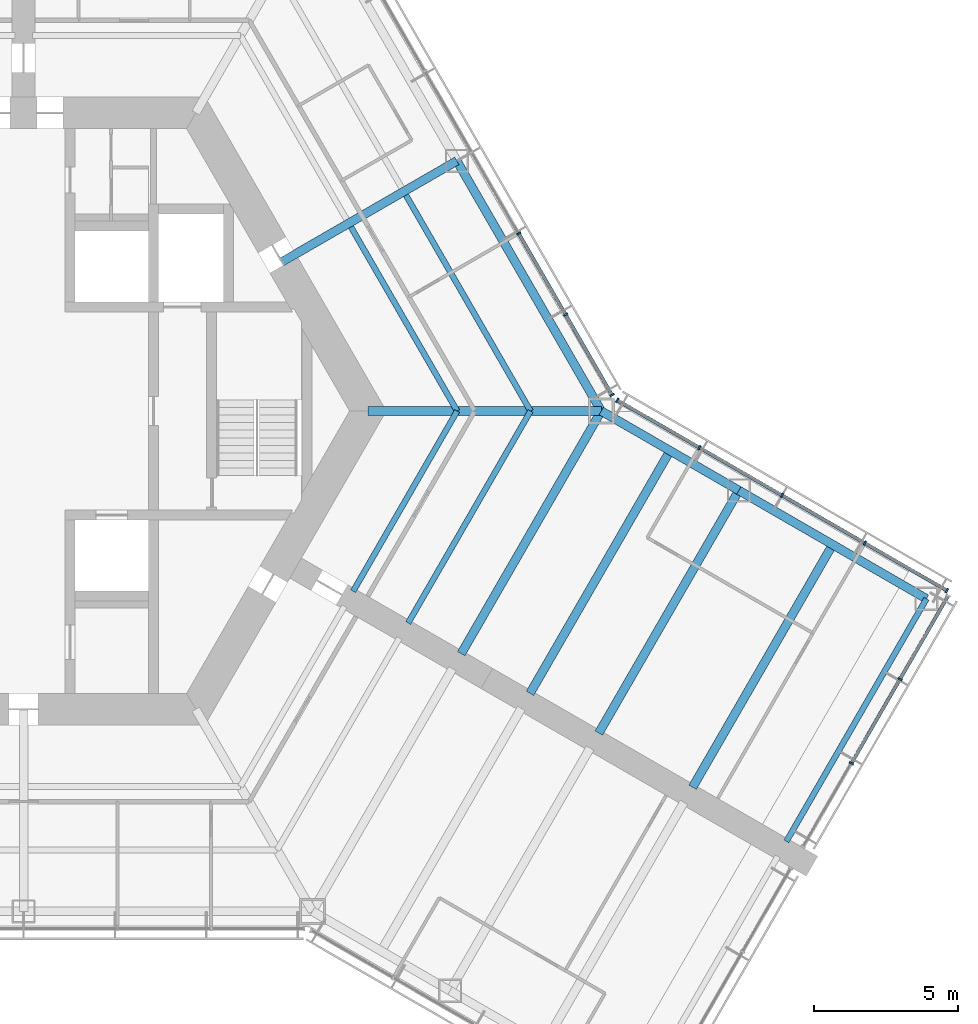
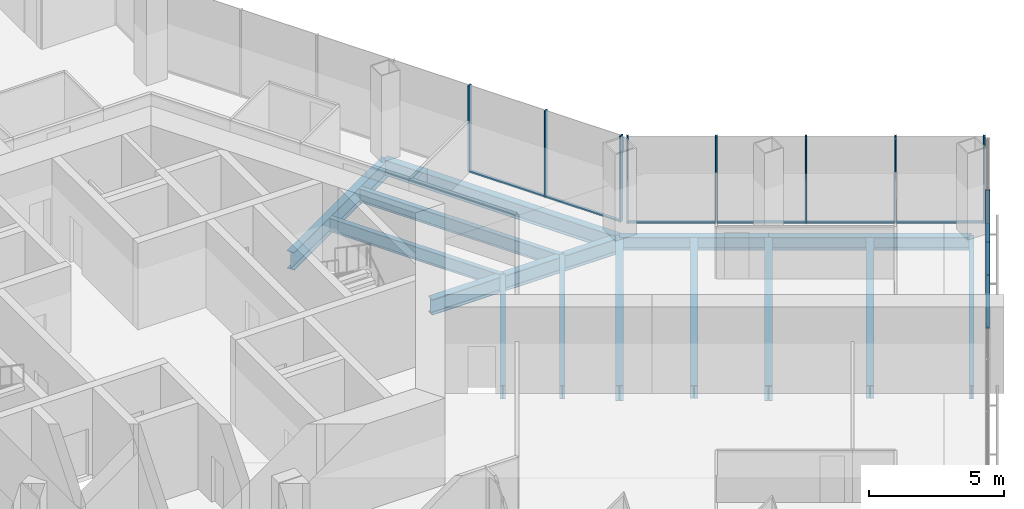
# One storey, part 6 of 18: 18 members, 14 beams, 3 elements without a shape of their own.
"""IFC4 building model written with IfcOpenShell, lengths in metres."""

from ifc_helpers import new_model, si_unit, direction, frame, origin, origin_2d, place, context, subcontext, project, spatial, rectangle, i_section, extrude, material, material_profile, profile_set, type_object, element, aggregate, save


model = new_model("IFC4")

# Units and contexts
model_context = context("Model", 3, precision=1e-05, world=origin(), true_north=direction((0.0, 1.0)))
body_context = subcontext(model_context, "Body", "Model", "MODEL_VIEW")
ifc_project = project(units=[si_unit("LENGTHUNIT", "METRE"), si_unit("AREAUNIT", "SQUARE_METRE"), si_unit("VOLUMEUNIT", "CUBIC_METRE"), si_unit("PLANEANGLEUNIT", "RADIAN"), si_unit("MASSUNIT", "GRAM", prefix="KILO")], contexts=[model_context])

# Site, building, storey
site_placement = place(None, origin())
site = spatial("IfcSite", under=ifc_project, at=site_placement, CompositionType="ELEMENT")
building_placement = place(site_placement, origin())
building = spatial("IfcBuilding", under=site, at=building_placement, Name="Kasaneha Research Tower", CompositionType="ELEMENT")
storey_placement = place(building_placement, frame((0.0, 0.0, 119.699951171875)))
storey = spatial("IfcBuildingStorey", under=building, at=storey_placement, Name="L30", CompositionType="ELEMENT", Elevation=119.699951171875)

# Beams
ifc_material_1 = material(Name="Steel SN490B", Category="steel")
ifc_material_profile_1 = material_profile(ifc_material_1, i_section(OverallWidth=0.199951171875, OverallDepth=0.60009765625, WebThickness=0.010986328125, FlangeThickness=0.01708984375, FilletRadius=0.012939453125, at=origin_2d()), Name="H-600x200x11x17")
ifc_profile_set_1 = profile_set([ifc_material_profile_1], Name="Steel SN490B")
beam_type_1 = type_object("IfcBeamType", Name="B1-3 secondary beam H-600x200x11x17", PredefinedType="JOIST", material=ifc_profile_set_1)
beam_1_placement = place(storey_placement, frame((15.010986328125, 0.0, -0.449951171875), z_axis=(-0.499994443168, 0.866028611999, 0.0), x_axis=(-0.866028611999, -0.499994443168, 0.0)))
element("IfcBeam", 1, at=beam_1_placement, inside=storey, type_object=beam_type_1, Name="Secondary beam RS030L1 L30", PredefinedType="JOIST", context=body_context, shape_type="SweptSolid", body=[
    extrude(i_section(OverallWidth=0.199951171875, OverallDepth=0.60009765625, WebThickness=0.010986328125, FlangeThickness=0.01708984375, FilletRadius=0.012939453125, at=origin_2d()), origin(), (0.0, 0.0, 1.0), 7.35546875),
])
beam_2_placement = place(storey_placement, frame((17.551513671875, 0.0, -0.449951171875), z_axis=(-0.5000050195, 0.866022505755, 0.0), x_axis=(-0.866022505755, -0.5000050195, 0.0)))
element("IfcBeam", 2, at=beam_2_placement, inside=storey, type_object=beam_type_1, Name="Secondary beam RS030L2 L30", PredefinedType="JOIST", context=body_context, shape_type="SweptSolid", body=[
    extrude(i_section(OverallWidth=0.199951171875, OverallDepth=0.60009765625, WebThickness=0.010986328125, FlangeThickness=0.01708984375, FilletRadius=0.012939453125, at=origin_2d()), origin(), (0.0, 0.0, 1.0), 8.6259765625),
])
beam_3_placement = place(storey_placement, frame((15.010986328125, 0.0, -0.449951171875), z_axis=(-0.499972735707, -0.866041144259, 0.0), x_axis=(0.866041144259, -0.499972735707, 0.0)))
element("IfcBeam", 3, at=beam_3_placement, inside=storey, type_object=beam_type_1, Name="Secondary beam RS330R1 L30", PredefinedType="JOIST", context=body_context, shape_type="SweptSolid", body=[
    extrude(i_section(OverallWidth=0.199951171875, OverallDepth=0.60009765625, WebThickness=0.010986328125, FlangeThickness=0.01708984375, FilletRadius=0.012939453125, at=origin_2d()), origin(), (0.0, 0.0, 1.0), 7.20556640625),
])
beam_4_placement = place(storey_placement, frame((17.551513671875, 0.0, -0.449951171875), z_axis=(-0.500020829043, -0.866013377797, 0.0), x_axis=(0.866013377797, -0.500020829043, 0.0)))
element("IfcBeam", 4, at=beam_4_placement, inside=storey, type_object=beam_type_1, Name="Secondary beam RS330R2 L30", PredefinedType="JOIST", context=body_context, shape_type="SweptSolid", body=[
    extrude(i_section(OverallWidth=0.199951171875, OverallDepth=0.60009765625, WebThickness=0.010986328125, FlangeThickness=0.01708984375, FilletRadius=0.012939453125, at=origin_2d()), origin(), (0.0, 0.0, 1.0), 8.475830078125),
])
ifc_material_2 = material(Name="Steel SN490B", Category="steel")
ifc_material_profile_2 = material_profile(ifc_material_2, i_section(OverallWidth=0.300048828125, OverallDepth=0.58203125, WebThickness=0.011962890625, FlangeThickness=0.01708984375, FilletRadius=0.012939453125, at=origin_2d()), Name="H-582x300x12x17")
ifc_profile_set_2 = profile_set([ifc_material_profile_2], Name="Steel SN490B")
beam_type_2 = type_object("IfcBeamType", Name="B2-3 secondary beam H-582x300x12x17", PredefinedType="JOIST", material=ifc_profile_set_2)
for number, where, z_axis, x_axis, name in (
    (5, (22.381591796875, -1.375, -0.44091796875), (-0.500010041276, -0.866019606374, 0.0), (0.866019606374, -0.500010041276, 0.0), "Secondary beam WBCN1 L30"),
    (6, (28.0107421875, -4.625, -0.44091796875), (-0.500010041276, -0.866019606374, 0.0), (0.866019606374, -0.500010041276, 0.0), "Secondary beam WBCN2 L30"),
):
    element("IfcBeam", number, at=place(storey_placement, frame(where, z_axis=z_axis, x_axis=x_axis)), inside=storey, type_object=beam_type_2, Name=name, PredefinedType="JOIST", context=body_context, shape_type="SweptSolid", body=[
        extrude(i_section(OverallWidth=0.300048828125, OverallDepth=0.58203125, WebThickness=0.011962890625, FlangeThickness=0.01708984375, FilletRadius=0.012939453125, at=origin_2d()), origin(), (0.0, 0.0, 1.0), 9.699951171875),
    ])

# Curtain wall, members
ifc_material_3 = material(Name="Glass and aluminium", Category="aluminium")
curtain_wall_type = type_object("IfcCurtainWallType", Name="Low-rise office curtain wall", PredefinedType="USERDEFINED", material=ifc_material_3)
curtain_wall_1_placement = place(storey_placement, origin())
curtain_wall_1 = element("IfcCurtainWall", 7, at=curtain_wall_1_placement, inside=storey, type_object=curtain_wall_type, Name="CW-O1 L30 run 05a", ObjectType="UNITISED CURTAIN WALL", PredefinedType="USERDEFINED")
ifc_material_4 = material(Name="Aluminium 6063-T6", Category="aluminium")
ifc_material_profile_3 = material_profile(ifc_material_4, rectangle(XDim=0.06005859375, YDim=0.159912109375, at=origin_2d()), Name="CW-O1 mullion 60x160")
ifc_profile_set_3 = profile_set([ifc_material_profile_3], Name="Aluminium 6063-T6")
member_type_1 = type_object("IfcMemberType", Name="CW-O1 mullion", PredefinedType="MULLION", material=ifc_profile_set_3)
member_1_placement = place(storey_placement, frame((28.661376953125, -12.1982421875, 0.0), z_axis=(0.0, 0.0, 1.0), x_axis=(0.500000011442, 0.866025397178, 0.0)))
member_1 = element("IfcMember", 8, at=member_1_placement, type_object=member_type_1, Name="CW-O1 mullion 2", PredefinedType="MULLION", context=body_context, shape_type="SweptSolid", body=[
    extrude(rectangle(XDim=0.06005859375, YDim=0.159912109375, at=origin_2d()), origin(), (0.0, 0.0, 1.0), 3.900146484375),
])
member_2_placement = place(storey_placement, frame((30.3447265625, -9.28271484375, 0.0), z_axis=(0.0, 0.0, 1.0), x_axis=(0.500000011442, 0.866025397178, 0.0)))
member_2 = element("IfcMember", 9, at=member_2_placement, type_object=member_type_1, Name="CW-O1 mullion 3", PredefinedType="MULLION", context=body_context, shape_type="SweptSolid", body=[
    extrude(rectangle(XDim=0.06005859375, YDim=0.159912109375, at=origin_2d()), origin(), (0.0, 0.0, 1.0), 3.900146484375),
])

curtain_wall_2_placement = place(storey_placement, origin())
curtain_wall_2 = element("IfcCurtainWall", 10, at=curtain_wall_2_placement, inside=storey, type_object=curtain_wall_type, Name="CW-O1 L30 run 06a", ObjectType="UNITISED CURTAIN WALL", PredefinedType="USERDEFINED")
member_3_placement = place(storey_placement, frame((31.96533203125, -6.21533203125, 0.0), z_axis=(0.0, 0.0, 1.0), x_axis=(-0.866025411464, 0.499999986699, 0.0)))
member_3 = element("IfcMember", 11, at=member_3_placement, type_object=member_type_1, Name="CW-O1 mullion 1", PredefinedType="MULLION", context=body_context, shape_type="SweptSolid", body=[
    extrude(rectangle(XDim=0.06005859375, YDim=0.159912109375, at=origin_2d()), origin(), (0.0, 0.0, 1.0), 3.900146484375),
])
member_4_placement = place(storey_placement, frame((29.125, -4.575439453125, 0.0), z_axis=(0.0, 0.0, 1.0), x_axis=(-0.866025411464, 0.499999986699, 0.0)))
member_4 = element("IfcMember", 12, at=member_4_placement, type_object=member_type_1, Name="CW-O1 mullion 2", PredefinedType="MULLION", context=body_context, shape_type="SweptSolid", body=[
    extrude(rectangle(XDim=0.06005859375, YDim=0.159912109375, at=origin_2d()), origin(), (0.0, 0.0, 1.0), 3.900146484375),
])
member_5_placement = place(storey_placement, frame((26.258544921875, -2.920654296875, 0.0), z_axis=(0.0, 0.0, 1.0), x_axis=(-0.866025411464, 0.499999986699, 0.0)))
member_5 = element("IfcMember", 13, at=member_5_placement, type_object=member_type_1, Name="CW-O1 mullion 3", PredefinedType="MULLION", context=body_context, shape_type="SweptSolid", body=[
    extrude(rectangle(XDim=0.06005859375, YDim=0.159912109375, at=origin_2d()), origin(), (0.0, 0.0, 1.0), 3.900146484375),
])
member_6_placement = place(storey_placement, frame((23.39208984375, -1.265625, 0.0), z_axis=(0.0, 0.0, 1.0), x_axis=(-0.866025411464, 0.499999986699, 0.0)))
member_6 = element("IfcMember", 14, at=member_6_placement, type_object=member_type_1, Name="CW-O1 mullion 4", PredefinedType="MULLION", context=body_context, shape_type="SweptSolid", body=[
    extrude(rectangle(XDim=0.06005859375, YDim=0.159912109375, at=origin_2d()), origin(), (0.0, 0.0, 1.0), 3.900146484375),
])
member_7_placement = place(storey_placement, frame((20.5517578125, 0.374267578125, 0.0), z_axis=(0.0, 0.0, 1.0), x_axis=(-0.866025411464, 0.499999986699, 0.0)))
member_7 = element("IfcMember", 15, at=member_7_placement, type_object=member_type_1, Name="CW-O1 mullion 5", PredefinedType="MULLION", context=body_context, shape_type="SweptSolid", body=[
    extrude(rectangle(XDim=0.06005859375, YDim=0.159912109375, at=origin_2d()), origin(), (0.0, 0.0, 1.0), 3.900146484375),
])

curtain_wall_3_placement = place(storey_placement, origin())
curtain_wall_3 = element("IfcCurtainWall", 16, at=curtain_wall_3_placement, inside=storey, type_object=curtain_wall_type, Name="CW-O1 L30 run 07a", ObjectType="UNITISED CURTAIN WALL", PredefinedType="USERDEFINED")
member_8_placement = place(storey_placement, frame((20.374267578125, 0.5517578125, 0.0), z_axis=(0.0, 0.0, 1.0), x_axis=(-0.49999996188, 0.866025425793, 0.0)))
member_8 = element("IfcMember", 17, at=member_8_placement, type_object=member_type_1, Name="CW-O1 mullion 1", PredefinedType="MULLION", context=body_context, shape_type="SweptSolid", body=[
    extrude(rectangle(XDim=0.06005859375, YDim=0.159912109375, at=origin_2d()), origin(), (0.0, 0.0, 1.0), 3.900146484375),
])
member_9_placement = place(storey_placement, frame((18.76611328125, 3.33740234375, 0.0), z_axis=(0.0, 0.0, 1.0), x_axis=(-0.49999996188, 0.866025425793, 0.0)))
member_9 = element("IfcMember", 18, at=member_9_placement, type_object=member_type_1, Name="CW-O1 mullion 2", PredefinedType="MULLION", context=body_context, shape_type="SweptSolid", body=[
    extrude(rectangle(XDim=0.06005859375, YDim=0.159912109375, at=origin_2d()), origin(), (0.0, 0.0, 1.0), 3.900146484375),
])
member_10_placement = place(storey_placement, frame((17.142822265625, 6.148681640625, 0.0), z_axis=(0.0, 0.0, 1.0), x_axis=(-0.49999996188, 0.866025425793, 0.0)))
member_10 = element("IfcMember", 19, at=member_10_placement, type_object=member_type_1, Name="CW-O1 mullion 3", PredefinedType="MULLION", context=body_context, shape_type="SweptSolid", body=[
    extrude(rectangle(XDim=0.06005859375, YDim=0.159912109375, at=origin_2d()), origin(), (0.0, 0.0, 1.0), 3.900146484375),
])

# Member
ifc_material_5 = material(Name="Aluminium 6063-T6", Category="aluminium")
ifc_material_profile_4 = material_profile(ifc_material_5, rectangle(XDim=0.1201171875, YDim=0.06005859375, at=origin_2d()), Name="CW-O1 transom 120x60")
ifc_profile_set_4 = profile_set([ifc_material_profile_4], Name="Aluminium 6063-T6")
member_type_2 = type_object("IfcMemberType", Name="CW-O1 transom", PredefinedType="USERDEFINED", material=ifc_profile_set_4)
member_11_placement = place(storey_placement, frame((28.67626953125, -12.17236328125, 0.030029296875), z_axis=(0.499982354831, 0.866035590988, 0.0), x_axis=(-0.866035590988, 0.499982354831, 0.0)))
member_11 = element("IfcMember", 20, at=member_11_placement, type_object=member_type_2, Name="CW-O1 transom 2", ObjectType="TRANSOM", PredefinedType="USERDEFINED", context=body_context, shape_type="SweptSolid", body=[
    extrude(rectangle(XDim=0.1201171875, YDim=0.06005859375, at=origin_2d()), origin(), (0.0, 0.0, 1.0), 3.306640625),
])

member_12_placement = place(storey_placement, frame((30.359619140625, -9.256591796875, 0.030029296875), z_axis=(0.500025583411, 0.866010632691, 0.0), x_axis=(-0.866010632691, 0.500025583411, 0.0)))
member_12 = element("IfcMember", 21, at=member_12_placement, type_object=member_type_2, Name="CW-O1 transom 3", ObjectType="TRANSOM", PredefinedType="USERDEFINED", context=body_context, shape_type="SweptSolid", body=[
    extrude(rectangle(XDim=0.1201171875, YDim=0.06005859375, at=origin_2d()), origin(), (0.0, 0.0, 1.0), 3.276611328125),
])

aggregate(curtain_wall_1, [member_1, member_2, member_11, member_12])

member_13_placement = place(storey_placement, frame((31.939453125, -6.200439453125, 0.030029296875), z_axis=(-0.866041647767, 0.499971863542, 0.0), x_axis=(-0.499971863542, -0.866041647767, 0.0)))
member_13 = element("IfcMember", 22, at=member_13_placement, type_object=member_type_2, Name="CW-O1 transom 1", ObjectType="TRANSOM", PredefinedType="USERDEFINED", context=body_context, shape_type="SweptSolid", body=[
    extrude(rectangle(XDim=0.1201171875, YDim=0.06005859375, at=origin_2d()), origin(), (0.0, 0.0, 1.0), 3.219970703125),
])

member_14_placement = place(storey_placement, frame((29.098876953125, -4.560546875, 0.030029296875), z_axis=(-0.86599666273, 0.500049777664, 0.0), x_axis=(-0.500049777664, -0.86599666273, 0.0)))
member_14 = element("IfcMember", 23, at=member_14_placement, type_object=member_type_2, Name="CW-O1 transom 2", ObjectType="TRANSOM", PredefinedType="USERDEFINED", context=body_context, shape_type="SweptSolid", body=[
    extrude(rectangle(XDim=0.1201171875, YDim=0.06005859375, at=origin_2d()), origin(), (0.0, 0.0, 1.0), 3.249755859375),
])

member_15_placement = place(storey_placement, frame((26.232666015625, -2.905517578125, 0.030029296875), z_axis=(-0.86604797581, 0.499960902066, 0.0), x_axis=(-0.499960902066, -0.86604797581, 0.0)))
member_15 = element("IfcMember", 24, at=member_15_placement, type_object=member_type_2, Name="CW-O1 transom 3", ObjectType="TRANSOM", PredefinedType="USERDEFINED", context=body_context, shape_type="SweptSolid", body=[
    extrude(rectangle(XDim=0.1201171875, YDim=0.06005859375, at=origin_2d()), origin(), (0.0, 0.0, 1.0), 3.249755859375),
])

member_16_placement = place(storey_placement, frame((23.3662109375, -1.250732421875, 0.030029296875), z_axis=(-0.866022692473, 0.500004696101, 0.0), x_axis=(-0.500004696101, -0.866022692473, 0.0)))
member_16 = element("IfcMember", 25, at=member_16_placement, type_object=member_type_2, Name="CW-O1 transom 4", ObjectType="TRANSOM", PredefinedType="USERDEFINED", context=body_context, shape_type="SweptSolid", body=[
    extrude(rectangle(XDim=0.1201171875, YDim=0.06005859375, at=origin_2d()), origin(), (0.0, 0.0, 1.0), 3.2197265625),
])

aggregate(curtain_wall_2, [member_3, member_4, member_5, member_6, member_7, member_13, member_14, member_15, member_16])

member_17_placement = place(storey_placement, frame((20.359130859375, 0.577880859375, 0.030029296875), z_axis=(-0.499999210213, 0.866025859768, 0.0), x_axis=(-0.866025859768, -0.499999210213, 0.0)))
member_17 = element("IfcMember", 26, at=member_17_placement, type_object=member_type_2, Name="CW-O1 transom 1", ObjectType="TRANSOM", PredefinedType="USERDEFINED", context=body_context, shape_type="SweptSolid", body=[
    extrude(rectangle(XDim=0.1201171875, YDim=0.06005859375, at=origin_2d()), origin(), (0.0, 0.0, 1.0), 3.15625),
])

member_18_placement = place(storey_placement, frame((18.7509765625, 3.36328125, 0.030029296875), z_axis=(-0.500012062035, 0.866018439653, 0.0), x_axis=(-0.866018439653, -0.500012062035, 0.0)))
member_18 = element("IfcMember", 27, at=member_18_placement, type_object=member_type_2, Name="CW-O1 transom 2", ObjectType="TRANSOM", PredefinedType="USERDEFINED", context=body_context, shape_type="SweptSolid", body=[
    extrude(rectangle(XDim=0.1201171875, YDim=0.06005859375, at=origin_2d()), origin(), (0.0, 0.0, 1.0), 3.1865234375),
])

aggregate(curtain_wall_3, [member_8, member_9, member_10, member_17, member_18])

# Beams
ifc_material_6 = material(Name="Steel SN490B", Category="steel")
ifc_material_profile_5 = material_profile(ifc_material_6, i_section(OverallWidth=0.300048828125, OverallDepth=0.699951171875, WebThickness=0.012939453125, FlangeThickness=0.02392578125, FilletRadius=0.01806640625, at=origin_2d()), Name="H-700x300x13x24")
ifc_profile_set_5 = profile_set([ifc_material_profile_5], Name="Steel SN490B")
beam_type_3 = type_object("IfcBeamType", Name="G1-3 radial girder H-700x300x13x24", PredefinedType="BEAM", material=ifc_profile_set_5)
beam_5_placement = place(storey_placement, frame((11.92236328125, 0.0, -0.5), z_axis=(1.0, 0.0, 0.0), x_axis=(0.0, 1.0, 0.0)))
element("IfcBeam", 28, at=beam_5_placement, inside=storey, type_object=beam_type_3, Name="Radial girder RV000 L30", PredefinedType="BEAM", context=body_context, shape_type="SweptSolid", body=[
    extrude(i_section(OverallWidth=0.300048828125, OverallDepth=0.699951171875, WebThickness=0.012939453125, FlangeThickness=0.02392578125, FilletRadius=0.01806640625, at=origin_2d()), origin(), (0.0, 0.0, 1.0), 8.07763671875),
])
ifc_material_7 = material(Name="Steel SN490B", Category="steel")
ifc_material_profile_6 = material_profile(ifc_material_7, i_section(OverallWidth=0.300048828125, OverallDepth=0.800048828125, WebThickness=0.013916015625, FlangeThickness=0.02587890625, FilletRadius=0.01806640625, at=origin_2d()), Name="H-800x300x14x26")
ifc_profile_set_6 = profile_set([ifc_material_profile_6], Name="Steel SN490B")
beam_type_4 = type_object("IfcBeamType", Name="G2-3 radial girder H-800x300x14x26", PredefinedType="BEAM", material=ifc_profile_set_6)
beam_6_placement = place(storey_placement, frame((8.941650390625, 5.16259765625, -0.550048828125), z_axis=(0.866039713508, 0.499975214012, 0.0), x_axis=(-0.499975214012, 0.866039713508, 0.0)))
element("IfcBeam", 29, at=beam_6_placement, inside=storey, type_object=beam_type_4, Name="Radial girder RM030 L30", PredefinedType="BEAM", context=body_context, shape_type="SweptSolid", body=[
    extrude(i_section(OverallWidth=0.300048828125, OverallDepth=0.800048828125, WebThickness=0.013916015625, FlangeThickness=0.02587890625, FilletRadius=0.01806640625, at=origin_2d()), origin(), (0.0, 0.0, 1.0), 6.995361328125),
])
ifc_material_8 = material(Name="Steel SN490B", Category="steel")
ifc_material_profile_7 = material_profile(ifc_material_8, i_section(OverallWidth=0.300048828125, OverallDepth=0.69189453125, WebThickness=0.012939453125, FlangeThickness=0.02001953125, FilletRadius=0.01806640625, at=origin_2d()), Name="H-692x300x13x20")
ifc_profile_set_7 = profile_set([ifc_material_profile_7], Name="Steel SN490B")
beam_type_5 = type_object("IfcBeamType", Name="G3-3 plate edge girder H-692x300x13x20", PredefinedType="BEAM", material=ifc_profile_set_7)
beam_7_placement = place(storey_placement, frame((20.0, 0.0, -0.495849609375), z_axis=(-0.500010041276, -0.866019606374, 0.0), x_axis=(0.866019606374, -0.500010041276, 0.0)))
element("IfcBeam", 30, at=beam_7_placement, inside=storey, type_object=beam_type_5, Name="Plate edge girder PECN L30", PredefinedType="BEAM", context=body_context, shape_type="SweptSolid", body=[
    extrude(i_section(OverallWidth=0.300048828125, OverallDepth=0.69189453125, WebThickness=0.012939453125, FlangeThickness=0.02001953125, FilletRadius=0.01806640625, at=origin_2d()), origin(), (0.0, 0.0, 1.0), 9.699951171875),
])
ifc_material_9 = material(Name="Steel SN490B", Category="steel")
ifc_material_profile_8 = material_profile(ifc_material_9, i_section(OverallWidth=0.300048828125, OverallDepth=0.699951171875, WebThickness=0.012939453125, FlangeThickness=0.02392578125, FilletRadius=0.01806640625, at=origin_2d()), Name="H-700x300x13x24")
ifc_profile_set_8 = profile_set([ifc_material_profile_8], Name="Steel SN490B")
beam_type_6 = type_object("IfcBeamType", Name="G4-3 wing girder H-700x300x13x24", PredefinedType="BEAM", material=ifc_profile_set_8)
beam_8_placement = place(storey_placement, frame((24.76318359375, -2.75, -0.5), z_axis=(-0.500010041276, -0.866019606374, 0.0), x_axis=(0.866019606374, -0.500010041276, 0.0)))
element("IfcBeam", 31, at=beam_8_placement, inside=storey, type_object=beam_type_6, Name="Wing girder WGCN L30", PredefinedType="BEAM", context=body_context, shape_type="SweptSolid", body=[
    extrude(i_section(OverallWidth=0.300048828125, OverallDepth=0.699951171875, WebThickness=0.012939453125, FlangeThickness=0.02392578125, FilletRadius=0.01806640625, at=origin_2d()), origin(), (0.0, 0.0, 1.0), 9.699951171875),
])
ifc_material_10 = material(Name="Steel SN490B", Category="steel")
ifc_material_profile_9 = material_profile(ifc_material_10, i_section(OverallWidth=0.300048828125, OverallDepth=0.69189453125, WebThickness=0.012939453125, FlangeThickness=0.02001953125, FilletRadius=0.01806640625, at=origin_2d()), Name="H-692x300x13x20")
ifc_profile_set_9 = profile_set([ifc_material_profile_9], Name="Steel SN490B")
beam_type_7 = type_object("IfcBeamType", Name="SB1-3 spandrel beam H-692x300x13x20", PredefinedType="SPANDREL", material=ifc_profile_set_9)
beam_9_placement = place(storey_placement, frame((20.0, 0.0, -0.495849609375), z_axis=(-0.500004234368, 0.866022959057, 0.0), x_axis=(-0.866022959057, -0.500004234368, 0.0)))
element("IfcBeam", 32, at=beam_9_placement, inside=storey, type_object=beam_type_7, Name="Spandrel beam SR030L L30", PredefinedType="SPANDREL", context=body_context, shape_type="SweptSolid", body=[
    extrude(i_section(OverallWidth=0.300048828125, OverallDepth=0.69189453125, WebThickness=0.012939453125, FlangeThickness=0.02001953125, FilletRadius=0.01806640625, at=origin_2d()), origin(), (0.0, 0.0, 1.0), 10.0),
])
ifc_material_11 = material(Name="Steel SN490B", Category="steel")
ifc_material_profile_10 = material_profile(ifc_material_11, i_section(OverallWidth=0.300048828125, OverallDepth=0.58203125, WebThickness=0.011962890625, FlangeThickness=0.01708984375, FilletRadius=0.012939453125, at=origin_2d()), Name="H-582x300x12x17")
ifc_profile_set_10 = profile_set([ifc_material_profile_10], Name="Steel SN490B")
beam_type_8 = type_object("IfcBeamType", Name="SB2-3 spandrel beam H-582x300x12x17", PredefinedType="SPANDREL", material=ifc_profile_set_10)
beam_10_placement = place(storey_placement, frame((20.0, 0.0, -0.44091796875), z_axis=(0.866027397988, -0.499996545922, 0.0), x_axis=(0.499996545922, 0.866027397988, 0.0)))
element("IfcBeam", 33, at=beam_10_placement, inside=storey, type_object=beam_type_8, Name="Spandrel beam WSCN1 L30", PredefinedType="SPANDREL", context=body_context, shape_type="SweptSolid", body=[
    extrude(i_section(OverallWidth=0.300048828125, OverallDepth=0.58203125, WebThickness=0.011962890625, FlangeThickness=0.01708984375, FilletRadius=0.012939453125, at=origin_2d()), origin(), (0.0, 0.0, 1.0), 5.5),
])
beam_11_placement = place(storey_placement, frame((24.76318359375, -2.75, -0.44091796875), z_axis=(0.866022959057, -0.500004234368, 0.0), x_axis=(0.500004234368, 0.866022959057, 0.0)))
element("IfcBeam", 34, at=beam_11_placement, inside=storey, type_object=beam_type_8, Name="Spandrel beam WSCN2 L30", PredefinedType="SPANDREL", context=body_context, shape_type="SweptSolid", body=[
    extrude(i_section(OverallWidth=0.300048828125, OverallDepth=0.58203125, WebThickness=0.011962890625, FlangeThickness=0.01708984375, FilletRadius=0.012939453125, at=origin_2d()), origin(), (0.0, 0.0, 1.0), 7.5),
])
ifc_material_12 = material(Name="Steel SN490B", Category="steel")
ifc_material_profile_11 = material_profile(ifc_material_12, i_section(OverallWidth=0.199951171875, OverallDepth=0.60009765625, WebThickness=0.010986328125, FlangeThickness=0.01708984375, FilletRadius=0.012939453125, at=origin_2d()), Name="H-600x200x11x17")
ifc_profile_set_11 = profile_set([ifc_material_profile_11], Name="Steel SN490B")
beam_type_9 = type_object("IfcBeamType", Name="SB3-3 spandrel beam H-600x200x11x17", PredefinedType="SPANDREL", material=ifc_profile_set_11)
beam_12_placement = place(storey_placement, frame((31.25830078125, -6.5, -0.449951171875), z_axis=(-0.499991164321, -0.866030505006, 0.0), x_axis=(0.866030505006, -0.499991164321, 0.0)))
element("IfcBeam", 35, at=beam_12_placement, inside=storey, type_object=beam_type_9, Name="Spandrel beam WTCN L30", PredefinedType="SPANDREL", context=body_context, shape_type="SweptSolid", body=[
    extrude(i_section(OverallWidth=0.199951171875, OverallDepth=0.60009765625, WebThickness=0.010986328125, FlangeThickness=0.01708984375, FilletRadius=0.012939453125, at=origin_2d()), origin(), (0.0, 0.0, 1.0), 9.699951171875),
])

save(model, "model.ifc")
